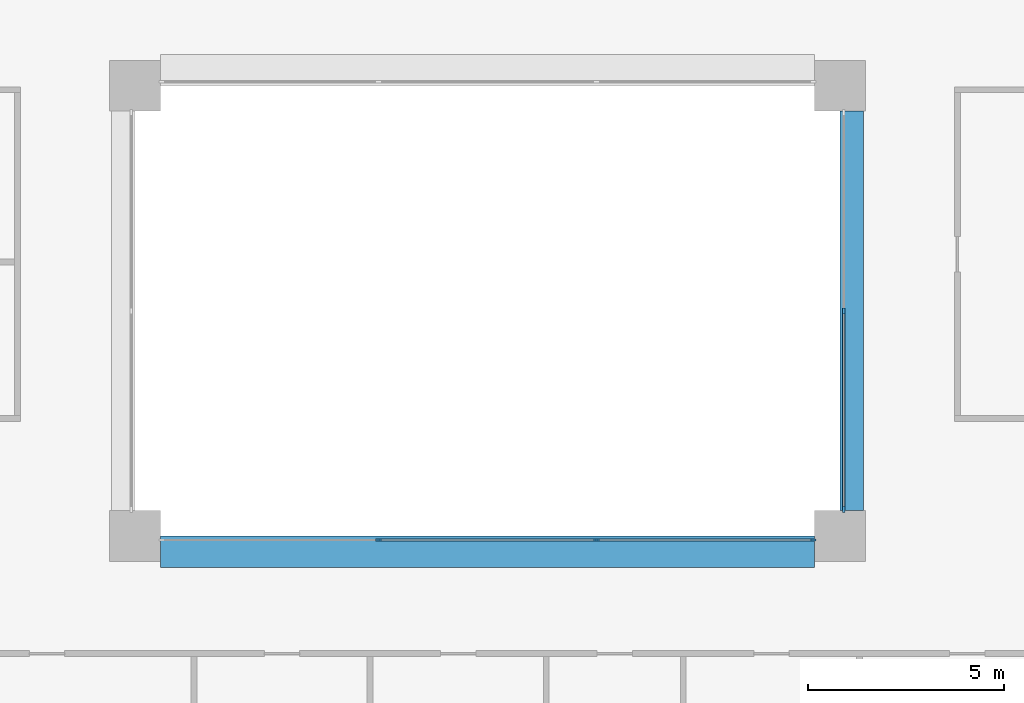
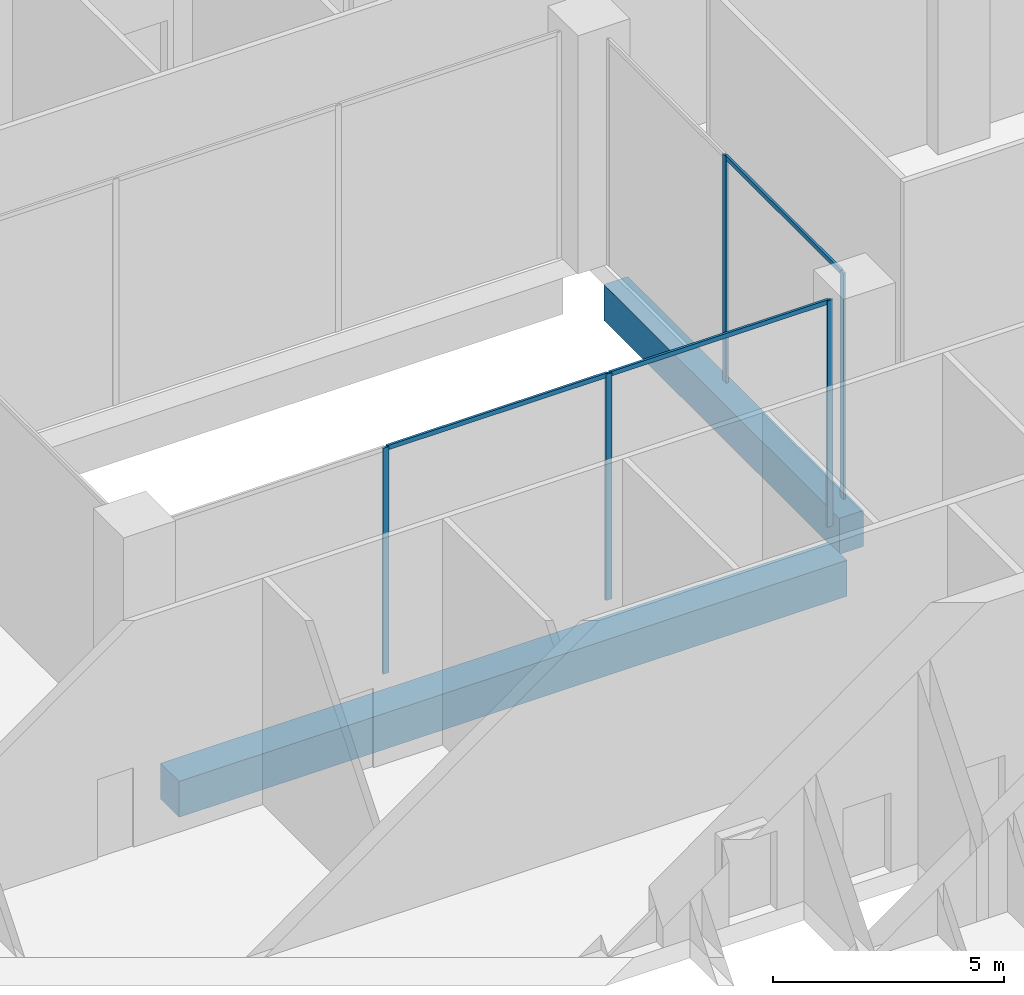
# One storey, part 5 of 21: 8 members, 2 beams, 2 elements without a shape of their own.
"""IFC4 building model written with IfcOpenShell, lengths in metres."""

from ifc_helpers import new_model, si_unit, direction, frame, origin, origin_2d, place, context, subcontext, project, spatial, rectangle, extrude, material, layer, layer_set, material_profile, profile_set, type_object, element, aggregate, save


model = new_model("IFC4")

# Units and contexts
model_context = context("Model", 3, precision=1e-05, world=origin(), true_north=direction((0.0, 1.0)))
body_context = subcontext(model_context, "Body", "Model", "MODEL_VIEW")
ifc_project = project(units=[si_unit("LENGTHUNIT", "METRE"), si_unit("AREAUNIT", "SQUARE_METRE"), si_unit("VOLUMEUNIT", "CUBIC_METRE"), si_unit("PLANEANGLEUNIT", "RADIAN"), si_unit("MASSUNIT", "GRAM", prefix="KILO")], contexts=[model_context])

# Site, building, storey
site_placement = place(None, origin())
site = spatial("IfcSite", under=ifc_project, at=site_placement, CompositionType="ELEMENT")
building_placement = place(site_placement, origin())
building = spatial("IfcBuilding", under=site, at=building_placement, Name="Brigalow Station Residences", CompositionType="ELEMENT")
storey_placement = place(building_placement, frame((0.0, 0.0, 77.25)))
storey = spatial("IfcBuildingStorey", under=building, at=storey_placement, Name="L22", CompositionType="ELEMENT", Elevation=77.25)

# Beams
ifc_material_1 = material(Name="Concrete C65", Category="concrete")
ifc_material_profile_1 = material_profile(ifc_material_1, rectangle(XDim=0.60009765625, YDim=0.949951171875, at=origin_2d()), Name="RC600x950")
ifc_profile_set_1 = profile_set([ifc_material_profile_1], Name="Concrete C65")
beam_type_1 = type_object("IfcBeamType", Name="ATRIUM EDGE GIRDER 600x950 C65", PredefinedType="BEAM", material=ifc_profile_set_1)
beam_1_placement = place(storey_placement, frame((45.300048828125, 24.64990234375, -0.97509765625), z_axis=(0.0, 1.0, 0.0), x_axis=(-1.0, 0.0, 0.0)))
element("IfcBeam", 1, at=beam_1_placement, inside=storey, type_object=beam_type_1, Name="ATRIUM EDGE GIRDER 5 L22", PredefinedType="BEAM", context=body_context, shape_type="SweptSolid", body=[
    extrude(rectangle(XDim=0.60009765625, YDim=0.949951171875, at=origin_2d()), origin(), (0.0, 0.0, 1.0), 10.2001953125),
])
ifc_material_2 = material(Name="Concrete C65", Category="concrete")
ifc_material_profile_2 = material_profile(ifc_material_2, rectangle(XDim=0.800048828125, YDim=0.949951171875, at=origin_2d()), Name="RC800x950")
ifc_profile_set_2 = profile_set([ifc_material_profile_2], Name="Concrete C65")
beam_type_2 = type_object("IfcBeamType", Name="ATRIUM EDGE GIRDER OVER 13.5 M SPAN 800x950 C65", PredefinedType="BEAM", material=ifc_profile_set_2)
beam_2_placement = place(storey_placement, frame((27.64990234375, 23.60009765625, -0.97509765625), z_axis=(1.0, 0.0, 0.0), x_axis=(0.0, 1.0, 0.0)))
element("IfcBeam", 2, at=beam_2_placement, inside=storey, type_object=beam_type_2, Name="ATRIUM EDGE GIRDER C L22", PredefinedType="BEAM", context=body_context, shape_type="SweptSolid", body=[
    extrude(rectangle(XDim=0.800048828125, YDim=0.949951171875, at=origin_2d()), origin(), (0.0, 0.0, 1.0), 16.7001953125),
])

# Curtain wall, members
ifc_material_3 = material(Name="Aluminium", Category="aluminium")
ifc_layer = layer(ifc_material_3, 0.14990234375)
ifc_layer_set = layer_set([ifc_layer], Name="ATRIUM FIRE-RATED GLAZING CURTAIN WALL")
curtain_wall_type = type_object("IfcCurtainWallType", Name="ATRIUM FIRE-RATED GLAZING CURTAIN WALL", PredefinedType="NOTDEFINED", material=ifc_layer_set)
curtain_wall_1_placement = place(storey_placement, origin())
curtain_wall_1 = element("IfcCurtainWall", 3, at=curtain_wall_1_placement, inside=storey, type_object=curtain_wall_type, Name="L22/cw/atrium-S", PredefinedType="NOTDEFINED")
ifc_material_4 = material(Name="Aluminium", Category="aluminium")
ifc_material_profile_3 = material_profile(ifc_material_4, rectangle(XDim=0.06005859375, YDim=0.14990234375, at=origin_2d()), Name="ATRIUM FIRE-RATED GLAZING MULLION 60x150")
ifc_profile_set_3 = profile_set([ifc_material_profile_3], Name="Aluminium")
member_type_1 = type_object("IfcMemberType", Name="ATRIUM FIRE-RATED GLAZING MULLION 60x150", PredefinedType="MULLION", material=ifc_profile_set_3)
member_1_placement = place(storey_placement, frame((33.216796875, 23.89990234375, 0.0), z_axis=(0.0, 0.0, 1.0), x_axis=(0.0, 1.0, 0.0)))
member_1 = element("IfcMember", 4, at=member_1_placement, type_object=member_type_1, Name="L22/cw/atrium-S/M01", PredefinedType="MULLION", context=body_context, shape_type="SweptSolid", body=[
    extrude(rectangle(XDim=0.06005859375, YDim=0.14990234375, at=origin_2d()), origin(), (0.0, 0.0, 1.0), 5.97998046875),
])
member_2_placement = place(storey_placement, frame((38.783203125, 23.89990234375, 0.0), z_axis=(0.0, 0.0, 1.0), x_axis=(0.0, 1.0, 0.0)))
member_2 = element("IfcMember", 5, at=member_2_placement, type_object=member_type_1, Name="L22/cw/atrium-S/M02", PredefinedType="MULLION", context=body_context, shape_type="SweptSolid", body=[
    extrude(rectangle(XDim=0.06005859375, YDim=0.14990234375, at=origin_2d()), origin(), (0.0, 0.0, 1.0), 5.97998046875),
])
member_3_placement = place(storey_placement, frame((44.320068359375, 23.89990234375, 0.0), z_axis=(0.0, 0.0, 1.0), x_axis=(0.0, 1.0, 0.0)))
member_3 = element("IfcMember", 6, at=member_3_placement, type_object=member_type_1, Name="L22/cw/atrium-S/M03", PredefinedType="MULLION", context=body_context, shape_type="SweptSolid", body=[
    extrude(rectangle(XDim=0.06005859375, YDim=0.14990234375, at=origin_2d()), origin(), (0.0, 0.0, 1.0), 5.97998046875),
])

curtain_wall_2_placement = place(storey_placement, origin())
curtain_wall_2 = element("IfcCurtainWall", 7, at=curtain_wall_2_placement, inside=storey, type_object=curtain_wall_type, Name="L22/cw/atrium-E", PredefinedType="NOTDEFINED")
member_4_placement = place(storey_placement, frame((45.10009765625, 24.679931640625, 0.0), z_axis=(0.0, 0.0, 1.0), x_axis=(-1.0, 0.0, 0.0)))
member_4 = element("IfcMember", 8, at=member_4_placement, type_object=member_type_1, Name="L22/cw/atrium-E/M00", PredefinedType="MULLION", context=body_context, shape_type="SweptSolid", body=[
    extrude(rectangle(XDim=0.06005859375, YDim=0.14990234375, at=origin_2d()), origin(), (0.0, 0.0, 1.0), 5.97998046875),
])
member_5_placement = place(storey_placement, frame((45.10009765625, 29.75, 0.0), z_axis=(0.0, 0.0, 1.0), x_axis=(-1.0, 0.0, 0.0)))
member_5 = element("IfcMember", 9, at=member_5_placement, type_object=member_type_1, Name="L22/cw/atrium-E/M01", PredefinedType="MULLION", context=body_context, shape_type="SweptSolid", body=[
    extrude(rectangle(XDim=0.06005859375, YDim=0.14990234375, at=origin_2d()), origin(), (0.0, 0.0, 1.0), 5.97998046875),
])

# Member
ifc_material_5 = material(Name="Aluminium", Category="aluminium")
ifc_material_profile_4 = material_profile(ifc_material_5, rectangle(XDim=0.06005859375, YDim=0.1201171875, at=origin_2d()), Name="ATRIUM FIRE-RATED GLAZING TRANSOM 60x120")
ifc_profile_set_4 = profile_set([ifc_material_profile_4], Name="Aluminium")
member_type_2 = type_object("IfcMemberType", Name="ATRIUM FIRE-RATED GLAZING TRANSOM 60x120", PredefinedType="USERDEFINED", material=ifc_profile_set_4)
member_6_placement = place(storey_placement, frame((33.24658203125, 23.89990234375, 5.949951171875), z_axis=(1.0, 0.0, 0.0), x_axis=(0.0, 1.0, 0.0)))
member_6 = element("IfcMember", 10, at=member_6_placement, type_object=member_type_2, Name="L22/cw/atrium-S/T01-00", ObjectType="TRANSOM", PredefinedType="USERDEFINED", context=body_context, shape_type="SweptSolid", body=[
    extrude(rectangle(XDim=0.06005859375, YDim=0.1201171875, at=origin_2d()), origin(), (0.0, 0.0, 1.0), 5.5068359375),
])

member_7_placement = place(storey_placement, frame((38.813232421875, 23.89990234375, 5.949951171875), z_axis=(1.0, 0.0, 0.0), x_axis=(0.0, 1.0, 0.0)))
member_7 = element("IfcMember", 11, at=member_7_placement, type_object=member_type_2, Name="L22/cw/atrium-S/T02-00", ObjectType="TRANSOM", PredefinedType="USERDEFINED", context=body_context, shape_type="SweptSolid", body=[
    extrude(rectangle(XDim=0.06005859375, YDim=0.1201171875, at=origin_2d()), origin(), (0.0, 0.0, 1.0), 5.476806640625),
])

aggregate(curtain_wall_1, [member_1, member_2, member_3, member_6, member_7])

member_8_placement = place(storey_placement, frame((45.10009765625, 24.7099609375, 5.949951171875), z_axis=(0.0, 1.0, 0.0), x_axis=(-1.0, 0.0, 0.0)))
member_8 = element("IfcMember", 12, at=member_8_placement, type_object=member_type_2, Name="L22/cw/atrium-E/T00-00", ObjectType="TRANSOM", PredefinedType="USERDEFINED", context=body_context, shape_type="SweptSolid", body=[
    extrude(rectangle(XDim=0.06005859375, YDim=0.1201171875, at=origin_2d()), origin(), (0.0, 0.0, 1.0), 5.010009765625),
])

aggregate(curtain_wall_2, [member_4, member_5, member_8])

save(model, "model.ifc")
